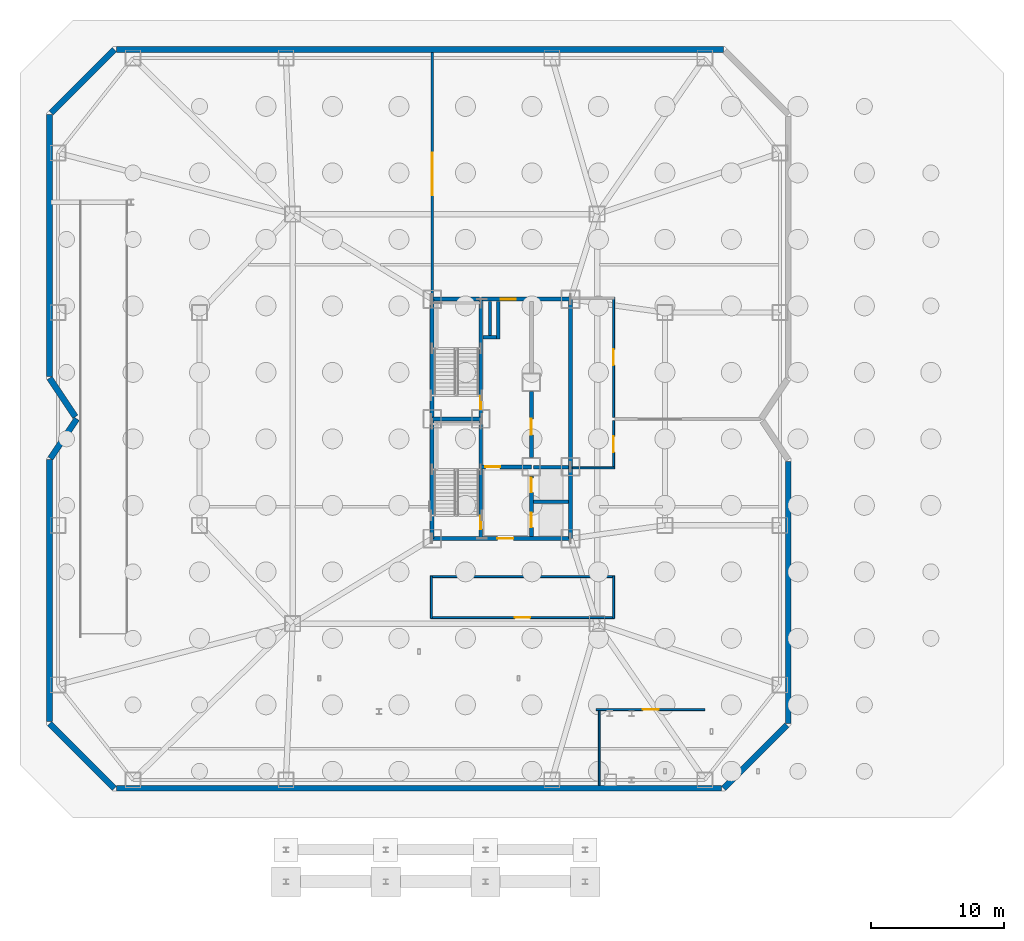
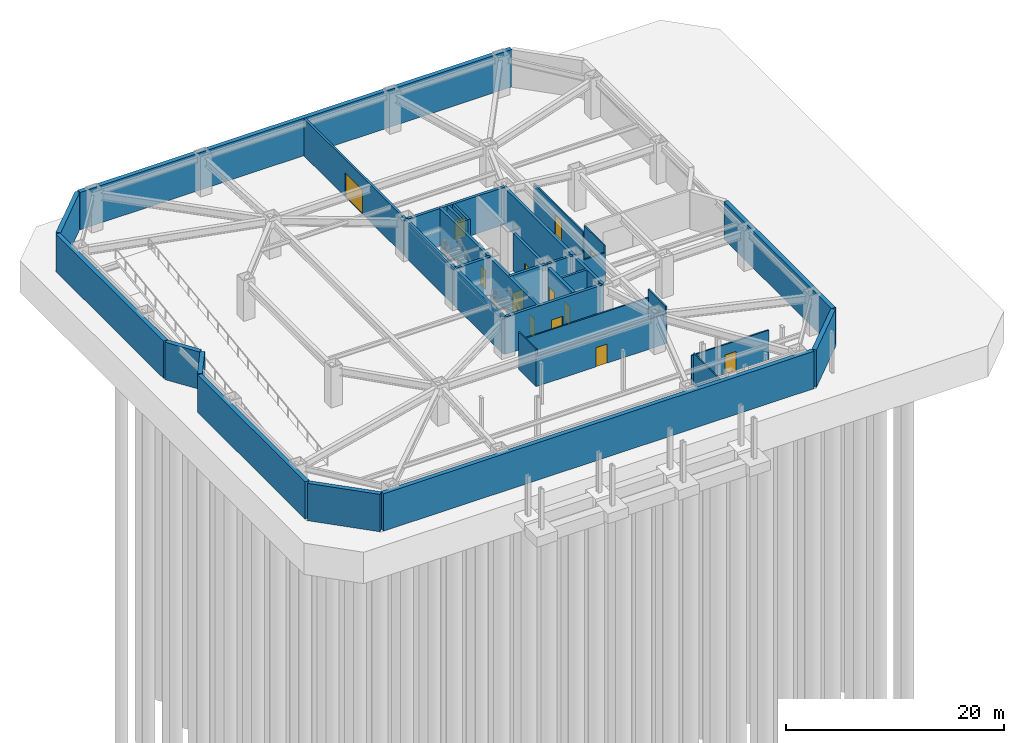
# One storey, part 10 of 15: 37 walls, 13 doors, 13 openings.
"""IFC4 building model written with IfcOpenShell, lengths in metres."""

from ifc_helpers import new_model, si_unit, direction, frame, frame_2d, origin, place, context, subcontext, project, spatial, rectangle, extrude, material, layer, layer_set, type_object, element, fill, save


model = new_model("IFC4")

# Units and contexts
model_context = context("Model", 3, precision=1e-05, world=origin(), true_north=direction((0.0, 1.0)))
body_context = subcontext(model_context, "Body", "Model", "MODEL_VIEW")
ifc_project = project(units=[si_unit("LENGTHUNIT", "METRE"), si_unit("AREAUNIT", "SQUARE_METRE"), si_unit("VOLUMEUNIT", "CUBIC_METRE"), si_unit("PLANEANGLEUNIT", "RADIAN"), si_unit("MASSUNIT", "GRAM", prefix="KILO")], contexts=[model_context])

# Site, building, storey
site_placement = place(None, origin())
site = spatial("IfcSite", under=ifc_project, at=site_placement, CompositionType="ELEMENT")
building_placement = place(site_placement, origin())
building = spatial("IfcBuilding", under=site, at=building_placement, Name="Khamvora Tower", CompositionType="ELEMENT")
storey_placement = place(building_placement, frame((0.0, 0.0, -9.0)))
storey = spatial("IfcBuildingStorey", under=building, at=storey_placement, Name="B2", CompositionType="ELEMENT", Elevation=-9.0)

# Walls
ifc_material_1 = material(Name="Concrete C50/60", Category="concrete")
ifc_layer_1 = layer(ifc_material_1, 0.300048828125)
ifc_layer_set_1 = layer_set([ifc_layer_1], Name="Concrete C50/60")
wall_type_1 = type_object("IfcWallType", Name="WAL-CORE-300", PredefinedType="SHEAR", material=ifc_layer_set_1)
for number, where, z_axis, x_axis, name in (
    (1, (29.0, 19.0, 0.0), (0.0, 0.0, 1.0), (0.0, 1.0, 0.0), "B2 central core west south wall"),
    (2, (29.0, 28.0, 0.0), (0.0, 0.0, 1.0), (0.0, 1.0, 0.0), "B2 central core west north wall"),
):
    element("IfcWall", number, at=place(storey_placement, frame(where, z_axis=z_axis, x_axis=x_axis)), inside=storey, type_object=wall_type_1, Name=name, PredefinedType="SHEAR", context=body_context, shape_type="SweptSolid", body=[
        extrude(rectangle(XDim=9.0, YDim=0.300048828125, at=frame_2d((4.5, 0.0))), origin(), (0.0, 0.0, 1.0), 4.179931640625),
    ])

# Wall, opening, door
wall_1_placement = place(storey_placement, frame((29.0, 19.0, 0.0), z_axis=(0.0, 0.0, 1.0), x_axis=(1.0, 0.0, 0.0)))
wall_1 = element("IfcWall", 3, at=wall_1_placement, inside=storey, type_object=wall_type_1, Name="B2 central core south wall", PredefinedType="SHEAR", context=body_context, shape_type="SweptSolid", body=[
    extrude(rectangle(XDim=10.39990234375, YDim=0.300048828125, at=frame_2d((5.199951171875, 0.0))), origin(), (0.0, 0.0, 1.0), 4.179931640625),
])
opening_1_placement = place(wall_1_placement, frame((4.89990234375, 0.0, 0.0)))
opening_1 = element("IfcOpeningElement", 4, at=opening_1_placement, cuts=wall_1, Name="Opening D-CR1", PredefinedType="OPENING", context=body_context, shape_type="SweptSolid", body=[
    extrude(rectangle(XDim=1.199951171875, YDim=2.14990234375, at=frame_2d((0.60009765625, 1.074951171875))), frame((0.0, 0.159912109375, 0.0), z_axis=(0.0, -1.0, 0.0), x_axis=(1.0, 0.0, 0.0)), (0.0, 0.0, 1.0), 0.320068359375),
])
ifc_material_2 = material(Name="Powder-Coated Steel and Hardwood Leaf", Category="steel")
door_type_1 = type_object("IfcDoorType", Name="DOR-CORR-1200", OperationType="NOTDEFINED", PredefinedType="DOOR", material=ifc_material_2)
door_1_placement = place(opening_1_placement, origin())
door_1 = element("IfcDoor", 5, at=door_1_placement, inside=storey, type_object=door_type_1, Name="B2 south core lobby to corridor fire door", OperationType="SINGLE_SWING_RIGHT", OverallHeight=2.14990234375, OverallWidth=1.199951171875, PredefinedType="DOOR", context=body_context, shape_type="SweptSolid", body=[
    extrude(rectangle(XDim=1.199951171875, YDim=2.14990234375, at=frame_2d((0.60009765625, 1.074951171875))), frame((0.0, 0.02490234375, 0.0), z_axis=(0.0, -1.0, 0.0), x_axis=(1.0, 0.0, 0.0)), (0.0, 0.0, 1.0), 0.050048828125),
])
fill(opening_1, door_1)

wall_2_placement = place(storey_placement, frame((29.0, 37.0, 0.0), z_axis=(0.0, 0.0, 1.0), x_axis=(1.0, 0.0, 0.0)))
wall_2 = element("IfcWall", 6, at=wall_2_placement, inside=storey, type_object=wall_type_1, Name="B2 central core north wall", PredefinedType="SHEAR", context=body_context, shape_type="SweptSolid", body=[
    extrude(rectangle(XDim=10.39990234375, YDim=0.300048828125, at=frame_2d((5.199951171875, 0.0))), origin(), (0.0, 0.0, 1.0), 4.179931640625),
])
opening_2_placement = place(wall_2_placement, frame((5.139892578125, 0.0, 0.0)))
opening_2 = element("IfcOpeningElement", 7, at=opening_2_placement, cuts=wall_2, Name="Opening D-SC1", PredefinedType="OPENING", context=body_context, shape_type="SweptSolid", body=[
    extrude(rectangle(XDim=1.14990234375, YDim=2.199951171875, at=frame_2d((0.574951171875, 1.10009765625))), frame((0.0, 0.159912109375, 0.0), z_axis=(0.0, -1.0, 0.0), x_axis=(1.0, 0.0, 0.0)), (0.0, 0.0, 1.0), 0.320068359375),
])
door_type_2 = type_object("IfcDoorType", Name="DOR-SCHL-1150", OperationType="NOTDEFINED", PredefinedType="DOOR", material=ifc_material_2)
door_2_placement = place(opening_2_placement, origin())
door_2 = element("IfcDoor", 8, at=door_2_placement, inside=storey, type_object=door_type_2, Name="B2 north core lobby to corridor fire door", OperationType="SINGLE_SWING_LEFT", OverallHeight=2.199951171875, OverallWidth=1.14990234375, PredefinedType="DOOR", context=body_context, shape_type="SweptSolid", body=[
    extrude(rectangle(XDim=1.14990234375, YDim=2.199951171875, at=frame_2d((0.574951171875, 1.10009765625))), frame((0.0, 0.02490234375, 0.0), z_axis=(0.0, -1.0, 0.0), x_axis=(1.0, 0.0, 0.0)), (0.0, 0.0, 1.0), 0.050048828125),
])
fill(opening_2, door_2)

# Walls
wall_3_placement = place(storey_placement, frame((39.39990234375, 19.0, 0.0), z_axis=(0.0, 0.0, 1.0), x_axis=(0.0, 1.0, 0.0)))
element("IfcWall", 9, at=wall_3_placement, inside=storey, type_object=wall_type_1, Name="B2 central core east south wall", PredefinedType="SHEAR", context=body_context, shape_type="SweptSolid", body=[
    extrude(rectangle(XDim=5.39990234375, YDim=0.300048828125, at=frame_2d((2.699951171875, 0.0))), origin(), (0.0, 0.0, 1.0), 4.179931640625),
])
wall_4_placement = place(storey_placement, frame((39.39990234375, 24.39990234375, 0.0), z_axis=(0.0, 0.0, 1.0), x_axis=(0.0, 1.0, 0.0)))
element("IfcWall", 10, at=wall_4_placement, inside=storey, type_object=wall_type_1, Name="B2 central core east north wall", PredefinedType="SHEAR", context=body_context, shape_type="SweptSolid", body=[
    extrude(rectangle(XDim=12.60009765625, YDim=0.300048828125, at=frame_2d((6.300048828125, 0.0))), origin(), (0.0, 0.0, 1.0), 4.179931640625),
])

# Wall, opening, door
wall_5_placement = place(storey_placement, frame((32.64990234375, 19.0, 0.0), z_axis=(0.0, 0.0, 1.0), x_axis=(0.0, 1.0, 0.0)))
wall_5 = element("IfcWall", 11, at=wall_5_placement, inside=storey, type_object=wall_type_1, Name="B2 central core stair south spine wall", PredefinedType="SHEAR", context=body_context, shape_type="SweptSolid", body=[
    extrude(rectangle(XDim=9.0, YDim=0.300048828125, at=frame_2d((4.5, 0.0))), origin(), (0.0, 0.0, 1.0), 4.179931640625),
])
opening_3_placement = place(wall_5_placement, frame((0.719970703125, 0.0, 0.0)))
opening_3 = element("IfcOpeningElement", 12, at=opening_3_placement, cuts=wall_5, Name="Opening D-ST1", PredefinedType="OPENING", context=body_context, shape_type="SweptSolid", body=[
    extrude(rectangle(XDim=1.0, YDim=2.14990234375, at=frame_2d((0.5, 1.074951171875))), frame((0.0, 0.159912109375, 0.0), z_axis=(0.0, -1.0, 0.0), x_axis=(1.0, 0.0, 0.0)), (0.0, 0.0, 1.0), 0.320068359375),
])
door_type_3 = type_object("IfcDoorType", Name="DOR-STAIR-1000", OperationType="NOTDEFINED", PredefinedType="DOOR", material=ifc_material_2)
door_3_placement = place(opening_3_placement, origin())
door_3 = element("IfcDoor", 13, at=door_3_placement, inside=storey, type_object=door_type_3, Name="B2 exit stair ST-01 fire door", OperationType="SINGLE_SWING_RIGHT", OverallHeight=2.14990234375, OverallWidth=1.0, PredefinedType="DOOR", context=body_context, shape_type="SweptSolid", body=[
    extrude(rectangle(XDim=1.0, YDim=2.14990234375, at=frame_2d((0.5, 1.074951171875))), frame((0.0, 0.02490234375, 0.0), z_axis=(0.0, -1.0, 0.0), x_axis=(1.0, 0.0, 0.0)), (0.0, 0.0, 1.0), 0.050048828125),
])
fill(opening_3, door_3)

wall_6_placement = place(storey_placement, frame((32.64990234375, 28.0, 0.0), z_axis=(0.0, 0.0, 1.0), x_axis=(0.0, 1.0, 0.0)))
wall_6 = element("IfcWall", 14, at=wall_6_placement, inside=storey, type_object=wall_type_1, Name="B2 central core stair north spine wall", PredefinedType="SHEAR", context=body_context, shape_type="SweptSolid", body=[
    extrude(rectangle(XDim=9.0, YDim=0.300048828125, at=frame_2d((4.5, 0.0))), origin(), (0.0, 0.0, 1.0), 4.179931640625),
])
opening_4_placement = place(wall_6_placement, frame((0.719970703125, 0.0, 0.0)))
opening_4 = element("IfcOpeningElement", 15, at=opening_4_placement, cuts=wall_6, Name="Opening D-ST1", PredefinedType="OPENING", context=body_context, shape_type="SweptSolid", body=[
    extrude(rectangle(XDim=1.0, YDim=2.14990234375, at=frame_2d((0.5, 1.074951171875))), frame((0.0, 0.159912109375, 0.0), z_axis=(0.0, -1.0, 0.0), x_axis=(1.0, 0.0, 0.0)), (0.0, 0.0, 1.0), 0.320068359375),
])
door_4_placement = place(opening_4_placement, origin())
door_4 = element("IfcDoor", 16, at=door_4_placement, inside=storey, type_object=door_type_3, Name="B2 exit stair ST-02 fire door", OperationType="SINGLE_SWING_RIGHT", OverallHeight=2.14990234375, OverallWidth=1.0, PredefinedType="DOOR", context=body_context, shape_type="SweptSolid", body=[
    extrude(rectangle(XDim=1.0, YDim=2.14990234375, at=frame_2d((0.5, 1.074951171875))), frame((0.0, 0.02490234375, 0.0), z_axis=(0.0, -1.0, 0.0), x_axis=(1.0, 0.0, 0.0)), (0.0, 0.0, 1.0), 0.050048828125),
])
fill(opening_4, door_4)

# Wall
wall_7_placement = place(storey_placement, frame((29.0, 28.0, 0.0), z_axis=(0.0, 0.0, 1.0), x_axis=(1.0, 0.0, 0.0)))
element("IfcWall", 17, at=wall_7_placement, inside=storey, type_object=wall_type_1, Name="B2 central core stair cross wall", PredefinedType="SHEAR", context=body_context, shape_type="SweptSolid", body=[
    extrude(rectangle(XDim=3.64990234375, YDim=0.300048828125, at=frame_2d((1.824951171875, 0.0))), origin(), (0.0, 0.0, 1.0), 4.179931640625),
])

# Wall, opening, door
wall_8_placement = place(storey_placement, frame((32.64990234375, 24.39990234375, 0.0), z_axis=(0.0, 0.0, 1.0), x_axis=(1.0, 0.0, 0.0)))
wall_8 = element("IfcWall", 18, at=wall_8_placement, inside=storey, type_object=wall_type_1, Name="B2 central core firefighting lobby north wall", PredefinedType="SHEAR", context=body_context, shape_type="SweptSolid", body=[
    extrude(rectangle(XDim=3.800048828125, YDim=0.300048828125, at=frame_2d((1.89990234375, 0.0))), origin(), (0.0, 0.0, 1.0), 4.179931640625),
])
opening_5_placement = place(wall_8_placement, frame((0.35009765625, 0.0, 0.0)))
opening_5 = element("IfcOpeningElement", 19, at=opening_5_placement, cuts=wall_8, Name="Opening D-FF1", PredefinedType="OPENING", context=body_context, shape_type="SweptSolid", body=[
    extrude(rectangle(XDim=1.10009765625, YDim=2.14990234375, at=frame_2d((0.550048828125, 1.074951171875))), frame((0.0, 0.159912109375, 0.0), z_axis=(0.0, -1.0, 0.0), x_axis=(1.0, 0.0, 0.0)), (0.0, 0.0, 1.0), 0.320068359375),
])
door_type_4 = type_object("IfcDoorType", Name="DOR-FFLOB-1100", OperationType="NOTDEFINED", PredefinedType="DOOR", material=ifc_material_2)
door_5_placement = place(opening_5_placement, origin())
door_5 = element("IfcDoor", 20, at=door_5_placement, inside=storey, type_object=door_type_4, Name="B2 firefighting lobby smoke-seal fire door", OperationType="SINGLE_SWING_LEFT", OverallHeight=2.14990234375, OverallWidth=1.10009765625, PredefinedType="DOOR", context=body_context, shape_type="SweptSolid", body=[
    extrude(rectangle(XDim=1.10009765625, YDim=2.14990234375, at=frame_2d((0.550048828125, 1.074951171875))), frame((0.0, 0.02490234375, 0.0), z_axis=(0.0, -1.0, 0.0), x_axis=(1.0, 0.0, 0.0)), (0.0, 0.0, 1.0), 0.050048828125),
])
fill(opening_5, door_5)

# Wall, openings, doors
wall_9_placement = place(storey_placement, frame((36.449951171875, 19.154052734375, 0.0), z_axis=(0.0, 0.0, 1.0), x_axis=(0.0, 1.0, 0.0)))
wall_9 = element("IfcWall", 21, at=wall_9_placement, inside=storey, type_object=wall_type_1, Name="B2 central core lift bank south wall", PredefinedType="SHEAR", context=body_context, shape_type="SweptSolid", body=[
    extrude(rectangle(XDim=4.5458984375, YDim=0.300048828125, at=frame_2d((2.27294921875, 0.0))), origin(), (0.0, 0.0, 1.0), 4.179931640625),
])
opening_6_placement = place(wall_9_placement, frame((0.696044921875, 0.0, 0.0)))
opening_6 = element("IfcOpeningElement", 22, at=opening_6_placement, cuts=wall_9, Name="Opening LD-FFL", PredefinedType="OPENING", context=body_context, shape_type="SweptSolid", body=[
    extrude(rectangle(XDim=1.10009765625, YDim=2.14990234375, at=frame_2d((0.550048828125, 1.074951171875))), frame((0.0, 0.159912109375, 0.0), z_axis=(0.0, -1.0, 0.0), x_axis=(1.0, 0.0, 0.0)), (0.0, 0.0, 1.0), 0.320068359375),
])
opening_7_placement = place(wall_9_placement, frame((3.31591796875, 0.0, 0.0)))
opening_7 = element("IfcOpeningElement", 23, at=opening_7_placement, cuts=wall_9, Name="Opening LD-FFL", PredefinedType="OPENING", context=body_context, shape_type="SweptSolid", body=[
    extrude(rectangle(XDim=1.10009765625, YDim=2.14990234375, at=frame_2d((0.550048828125, 1.074951171875))), frame((0.0, 0.159912109375, 0.0), z_axis=(0.0, -1.0, 0.0), x_axis=(1.0, 0.0, 0.0)), (0.0, 0.0, 1.0), 0.320068359375),
])
door_type_5 = type_object("IfcDoorType", Name="DOR-LIFT-1100", OperationType="SLIDING_TO_LEFT", PredefinedType="DOOR", material=ifc_material_2)
door_6_placement = place(opening_6_placement, origin())
door_6 = element("IfcDoor", 24, at=door_6_placement, inside=storey, type_object=door_type_5, Name="B2 lift landing sliding door FFL-01", OperationType="SLIDING_TO_LEFT", OverallHeight=2.14990234375, OverallWidth=1.10009765625, PredefinedType="DOOR", context=body_context, shape_type="SweptSolid", body=[
    extrude(rectangle(XDim=1.10009765625, YDim=2.14990234375, at=frame_2d((0.550048828125, 1.074951171875))), frame((0.0, 0.02490234375, 0.0), z_axis=(0.0, -1.0, 0.0), x_axis=(1.0, 0.0, 0.0)), (0.0, 0.0, 1.0), 0.050048828125),
])
fill(opening_6, door_6)
door_7_placement = place(opening_7_placement, origin())
door_7 = element("IfcDoor", 25, at=door_7_placement, inside=storey, type_object=door_type_5, Name="B2 lift landing sliding door FFL-02", OperationType="SLIDING_TO_LEFT", OverallHeight=2.14990234375, OverallWidth=1.10009765625, PredefinedType="DOOR", context=body_context, shape_type="SweptSolid", body=[
    extrude(rectangle(XDim=1.10009765625, YDim=2.14990234375, at=frame_2d((0.550048828125, 1.074951171875))), frame((0.0, 0.02490234375, 0.0), z_axis=(0.0, -1.0, 0.0), x_axis=(1.0, 0.0, 0.0)), (0.0, 0.0, 1.0), 0.050048828125),
])
fill(opening_7, door_7)

# Wall, opening, door
wall_10_placement = place(storey_placement, frame((36.449951171875, 25.10009765625, 0.0), z_axis=(0.0, 0.0, 1.0), x_axis=(0.0, 1.0, 0.0)))
wall_10 = element("IfcWall", 26, at=wall_10_placement, inside=storey, type_object=wall_type_1, Name="B2 central core lift bank central wall", PredefinedType="SHEAR", context=body_context, shape_type="SweptSolid", body=[
    extrude(rectangle(XDim=4.949951171875, YDim=0.300048828125, at=frame_2d((2.47509765625, 0.0))), origin(), (0.0, 0.0, 1.0), 4.179931640625),
])
opening_8_placement = place(wall_10_placement, frame((1.699951171875, 0.0, 0.0)))
opening_8 = element("IfcOpeningElement", 27, at=opening_8_placement, cuts=wall_10, Name="Opening D-PL1", PredefinedType="OPENING", context=body_context, shape_type="SweptSolid", body=[
    extrude(rectangle(XDim=1.199951171875, YDim=2.14990234375, at=frame_2d((0.60009765625, 1.074951171875))), frame((0.0, 0.159912109375, 0.0), z_axis=(0.0, -1.0, 0.0), x_axis=(1.0, 0.0, 0.0)), (0.0, 0.0, 1.0), 0.320068359375),
])
door_type_6 = type_object("IfcDoorType", Name="DOR-PLNT-1200", OperationType="NOTDEFINED", PredefinedType="DOOR", material=ifc_material_2)
door_8_placement = place(opening_8_placement, origin())
door_8 = element("IfcDoor", 28, at=door_8_placement, inside=storey, type_object=door_type_6, Name="B2 basement riser room fire door", OperationType="SINGLE_SWING_LEFT", OverallHeight=2.14990234375, OverallWidth=1.199951171875, PredefinedType="DOOR", context=body_context, shape_type="SweptSolid", body=[
    extrude(rectangle(XDim=1.199951171875, YDim=2.14990234375, at=frame_2d((0.60009765625, 1.074951171875))), frame((0.0, 0.02490234375, 0.0), z_axis=(0.0, -1.0, 0.0), x_axis=(1.0, 0.0, 0.0)), (0.0, 0.0, 1.0), 0.050048828125),
])
fill(opening_8, door_8)

ifc_material_3 = material(Name="Fire-Rated Drywall and Steel Stud", Category="steel")
ifc_layer_2 = layer(ifc_material_3, 0.14990234375)
ifc_layer_set_2 = layer_set([ifc_layer_2], Name="Fire-Rated Drywall and Steel Stud")
wall_type_2 = type_object("IfcWallType", Name="WAL-CORR-150", PredefinedType="STANDARD", material=ifc_layer_set_2)
wall_11_placement = place(storey_placement, frame((49.5, 6.135009765625, 0.0), z_axis=(0.0, 0.0, 1.0), x_axis=(-1.0, 0.0, 0.0)))
wall_11 = element("IfcWall", 29, at=wall_11_placement, inside=storey, type_object=wall_type_2, Name="B2 interior partition wall 001", PredefinedType="STANDARD", context=body_context, shape_type="SweptSolid", body=[
    extrude(rectangle(XDim=8.177978515625, YDim=0.14990234375, at=frame_2d((4.0888671875, 0.0))), origin(), (0.0, 0.0, 1.0), 3.31494140625),
])
opening_9_placement = place(wall_11_placement, frame((3.467041015625, 0.0, 0.0)))
opening_9 = element("IfcOpeningElement", 30, at=opening_9_placement, cuts=wall_11, Name="Opening D-PL1", PredefinedType="OPENING", context=body_context, shape_type="SweptSolid", body=[
    extrude(rectangle(XDim=1.199951171875, YDim=2.14990234375, at=frame_2d((0.60009765625, 1.074951171875))), frame((0.0, 0.0849609375, 0.0), z_axis=(0.0, -1.0, 0.0), x_axis=(1.0, 0.0, 0.0)), (0.0, 0.0, 1.0), 0.169921875),
])
door_9_placement = place(opening_9_placement, origin())
door_9 = element("IfcDoor", 31, at=door_9_placement, inside=storey, type_object=door_type_6, Name="B2 interior door DRV-SMP", OperationType="SINGLE_SWING_RIGHT", OverallHeight=2.14990234375, OverallWidth=1.199951171875, PredefinedType="DOOR", context=body_context, shape_type="SweptSolid", body=[
    extrude(rectangle(XDim=1.199951171875, YDim=2.14990234375, at=frame_2d((0.60009765625, 1.074951171875))), frame((0.0, 0.02490234375, 0.0), z_axis=(0.0, -1.0, 0.0), x_axis=(1.0, 0.0, 0.0)), (0.0, 0.0, 1.0), 0.050048828125),
])
fill(opening_9, door_9)

# Wall
wall_12_placement = place(storey_placement, frame((39.5419921875, 24.31494140625, 0.0), z_axis=(0.0, 0.0, 1.0), x_axis=(1.0, 0.0, 0.0)))
element("IfcWall", 32, at=wall_12_placement, inside=storey, type_object=wall_type_2, Name="B2 interior partition wall 002", PredefinedType="STANDARD", context=body_context, shape_type="SweptSolid", body=[
    extrude(rectangle(XDim=3.157958984375, YDim=0.14990234375, at=frame_2d((1.5791015625, 0.0))), origin(), (0.0, 0.0, 1.0), 3.31494140625),
])

# Wall, opening, door
wall_13_placement = place(storey_placement, frame((42.635009765625, 24.25, 0.0), z_axis=(0.0, 0.0, 1.0), x_axis=(0.0, 1.0, 0.0)))
wall_13 = element("IfcWall", 33, at=wall_13_placement, inside=storey, type_object=wall_type_2, Name="B2 interior partition wall 003", PredefinedType="STANDARD", context=body_context, shape_type="SweptSolid", body=[
    extrude(rectangle(XDim=3.6298828125, YDim=0.14990234375, at=frame_2d((1.81494140625, 0.0))), origin(), (0.0, 0.0, 1.0), 4.179931640625),
])
opening_10_placement = place(wall_13_placement, frame((1.22802734375, 0.0, 0.0)))
opening_10 = element("IfcOpeningElement", 34, at=opening_10_placement, cuts=wall_13, Name="Opening D-PL1", PredefinedType="OPENING", context=body_context, shape_type="SweptSolid", body=[
    extrude(rectangle(XDim=1.199951171875, YDim=2.14990234375, at=frame_2d((0.60009765625, 1.074951171875))), frame((0.0, 0.0849609375, 0.0), z_axis=(0.0, -1.0, 0.0), x_axis=(1.0, 0.0, 0.0)), (0.0, 0.0, 1.0), 0.169921875),
])
door_10_placement = place(opening_10_placement, origin())
door_10 = element("IfcDoor", 35, at=door_10_placement, inside=storey, type_object=door_type_6, Name="B2 interior door DRV-WTK", OperationType="SINGLE_SWING_LEFT", OverallHeight=2.14990234375, OverallWidth=1.199951171875, PredefinedType="DOOR", context=body_context, shape_type="SweptSolid", body=[
    extrude(rectangle(XDim=1.199951171875, YDim=2.14990234375, at=frame_2d((0.60009765625, 1.074951171875))), frame((0.0, 0.02490234375, 0.0), z_axis=(0.0, -1.0, 0.0), x_axis=(1.0, 0.0, 0.0)), (0.0, 0.0, 1.0), 0.050048828125),
])
fill(opening_10, door_10)

# Wall
wall_14_placement = place(storey_placement, frame((28.945068359375, 16.199951171875, 0.0), z_axis=(0.0, 0.0, 1.0), x_axis=(0.0, -1.0, 0.0)))
element("IfcWall", 36, at=wall_14_placement, inside=storey, type_object=wall_type_2, Name="B2 interior partition wall 004", PredefinedType="STANDARD", context=body_context, shape_type="SweptSolid", body=[
    extrude(rectangle(XDim=3.199951171875, YDim=0.14990234375, at=frame_2d((1.60009765625, 0.0))), origin(), (0.0, 0.0, 1.0), 4.179931640625),
])

# Wall, opening, door
wall_15_placement = place(storey_placement, frame((28.8798828125, 13.06494140625, 0.0), z_axis=(0.0, 0.0, 1.0), x_axis=(1.0, 0.0, 0.0)))
wall_15 = element("IfcWall", 37, at=wall_15_placement, inside=storey, type_object=wall_type_2, Name="B2 interior partition wall 005", PredefinedType="STANDARD", context=body_context, shape_type="SweptSolid", body=[
    extrude(rectangle(XDim=13.820068359375, YDim=0.14990234375, at=frame_2d((6.91015625, 0.0))), origin(), (0.0, 0.0, 1.0), 3.31494140625),
])
opening_11_placement = place(wall_15_placement, frame((6.31005859375, 0.0, 0.0)))
opening_11 = element("IfcOpeningElement", 38, at=opening_11_placement, cuts=wall_15, Name="Opening D-PL1", PredefinedType="OPENING", context=body_context, shape_type="SweptSolid", body=[
    extrude(rectangle(XDim=1.199951171875, YDim=2.14990234375, at=frame_2d((0.60009765625, 1.074951171875))), frame((0.0, 0.0849609375, 0.0), z_axis=(0.0, -1.0, 0.0), x_axis=(1.0, 0.0, 0.0)), (0.0, 0.0, 1.0), 0.169921875),
])
door_11_placement = place(opening_11_placement, origin())
door_11 = element("IfcDoor", 39, at=door_11_placement, inside=storey, type_object=door_type_6, Name="B2 interior door DRV-PMP", OperationType="SINGLE_SWING_RIGHT", OverallHeight=2.14990234375, OverallWidth=1.199951171875, PredefinedType="DOOR", context=body_context, shape_type="SweptSolid", body=[
    extrude(rectangle(XDim=1.199951171875, YDim=2.14990234375, at=frame_2d((0.60009765625, 1.074951171875))), frame((0.0, 0.02490234375, 0.0), z_axis=(0.0, -1.0, 0.0), x_axis=(1.0, 0.0, 0.0)), (0.0, 0.0, 1.0), 0.050048828125),
])
fill(opening_11, door_11)

# Walls
wall_16_placement = place(storey_placement, frame((42.635009765625, 13.001953125, 0.0), z_axis=(0.0, 0.0, 1.0), x_axis=(0.0, 1.0, 0.0)))
element("IfcWall", 40, at=wall_16_placement, inside=storey, type_object=wall_type_2, Name="B2 interior partition wall 006", PredefinedType="STANDARD", context=body_context, shape_type="SweptSolid", body=[
    extrude(rectangle(XDim=3.197998046875, YDim=0.14990234375, at=frame_2d((1.59912109375, 0.0))), origin(), (0.0, 0.0, 1.0), 4.179931640625),
])
wall_17_placement = place(storey_placement, frame((42.699951171875, 16.135009765625, 0.0), z_axis=(0.0, 0.0, 1.0), x_axis=(-1.0, 0.0, 0.0)))
element("IfcWall", 41, at=wall_17_placement, inside=storey, type_object=wall_type_2, Name="B2 interior partition wall 007", PredefinedType="STANDARD", context=body_context, shape_type="SweptSolid", body=[
    extrude(rectangle(XDim=13.820068359375, YDim=0.14990234375, at=frame_2d((6.91015625, 0.0))), origin(), (0.0, 0.0, 1.0), 3.31494140625),
])

# Wall, opening, door
wall_18_placement = place(storey_placement, frame((42.635009765625, 28.1201171875, 0.0), z_axis=(0.0, 0.0, 1.0), x_axis=(0.0, 1.0, 0.0)))
wall_18 = element("IfcWall", 42, at=wall_18_placement, inside=storey, type_object=wall_type_2, Name="B2 interior partition wall 008", PredefinedType="STANDARD", context=body_context, shape_type="SweptSolid", body=[
    extrude(rectangle(XDim=9.02978515625, YDim=0.14990234375, at=frame_2d((4.514892578125, 0.0))), origin(), (0.0, 0.0, 1.0), 3.31494140625),
])
opening_12_placement = place(wall_18_placement, frame((3.9150390625, 0.0, 0.0)))
opening_12 = element("IfcOpeningElement", 43, at=opening_12_placement, cuts=wall_18, Name="Opening D-PL1", PredefinedType="OPENING", context=body_context, shape_type="SweptSolid", body=[
    extrude(rectangle(XDim=1.199951171875, YDim=2.14990234375, at=frame_2d((0.60009765625, 1.074951171875))), frame((0.0, 0.0849609375, 0.0), z_axis=(0.0, -1.0, 0.0), x_axis=(1.0, 0.0, 0.0)), (0.0, 0.0, 1.0), 0.169921875),
])
door_12_placement = place(opening_12_placement, origin())
door_12 = element("IfcDoor", 44, at=door_12_placement, inside=storey, type_object=door_type_6, Name="B2 interior door DRVN-WTK", OperationType="SINGLE_SWING_LEFT", OverallHeight=2.14990234375, OverallWidth=1.199951171875, PredefinedType="DOOR", context=body_context, shape_type="SweptSolid", body=[
    extrude(rectangle(XDim=1.199951171875, YDim=2.14990234375, at=frame_2d((0.60009765625, 1.074951171875))), frame((0.0, 0.02490234375, 0.0), z_axis=(0.0, -1.0, 0.0), x_axis=(1.0, 0.0, 0.0)), (0.0, 0.0, 1.0), 0.050048828125),
])
fill(opening_12, door_12)

# Walls
ifc_material_4 = material(Name="Gypsum Plasterboard Partition", Category="gypsum")
ifc_layer_3 = layer(ifc_material_4, 0.1201171875)
ifc_layer_set_3 = layer_set([ifc_layer_3], Name="Gypsum Plasterboard Partition")
wall_type_3 = type_object("IfcWallType", Name="WAL-PART-120", PredefinedType="PARTITIONING", material=ifc_layer_set_3)
wall_19_placement = place(storey_placement, frame((41.56494140625, 6.068115234375, 0.0), z_axis=(0.0, 0.0, 1.0), x_axis=(0.0, -1.0, 0.0)))
element("IfcWall", 45, at=wall_19_placement, inside=storey, type_object=wall_type_3, Name="B2 interior partition wall 010", PredefinedType="PARTITIONING", context=body_context, shape_type="SweptSolid", body=[
    extrude(rectangle(XDim=5.626220703125, YDim=0.1201171875, at=frame_2d((2.81298828125, 0.0))), origin(), (0.0, 0.0, 1.0), 3.552978515625),
])
ifc_material_5 = material(Name="Concrete C40/50", Category="concrete")
ifc_layer_4 = layer(ifc_material_5, 0.25)
ifc_layer_set_4 = layer_set([ifc_layer_4], Name="Concrete C40/50")
wall_type_4 = type_object("IfcWallType", Name="WAL-PODS-250", PredefinedType="SHEAR", material=ifc_layer_set_4)
for number, where, z_axis, x_axis, name in (
    (46, (36.60400390625, 21.77490234375, 0.0), (0.0, 0.0, 1.0), (1.0, 0.0, 0.0), "B2 lift shaft divider wall FFL-01"),
    (47, (36.60400390625, 24.375, 0.0), (0.0, 0.0, 1.0), (1.0, 0.0, 0.0), "B2 lift shaft divider wall FFL-02"),
):
    element("IfcWall", number, at=place(storey_placement, frame(where, z_axis=z_axis, x_axis=x_axis)), inside=storey, type_object=wall_type_4, Name=name, PredefinedType="SHEAR", context=body_context, shape_type="SweptSolid", body=[
        extrude(rectangle(XDim=2.64208984375, YDim=0.25, at=frame_2d((1.321044921875, 0.0))), origin(), (0.0, 0.0, 1.0), 4.179931640625),
    ])
wall_20_placement = place(storey_placement, frame((33.955078125, 34.02490234375, 0.0), z_axis=(0.0, 0.0, 1.0), x_axis=(0.0, 1.0, 0.0)))
element("IfcWall", 48, at=wall_20_placement, inside=storey, type_object=wall_type_4, Name="B2 vertical MEP riser shaft east enclosure wall", PredefinedType="SHEAR", context=body_context, shape_type="SweptSolid", body=[
    extrude(rectangle(XDim=2.821044921875, YDim=0.25, at=frame_2d((1.41064453125, 0.0))), origin(), (0.0, 0.0, 1.0), 4.179931640625),
])
wall_21_placement = place(storey_placement, frame((32.803955078125, 34.14990234375, 0.0), z_axis=(0.0, 0.0, 1.0), x_axis=(1.0, 0.0, 0.0)))
element("IfcWall", 49, at=wall_21_placement, inside=storey, type_object=wall_type_4, Name="B2 vertical MEP riser shaft south enclosure wall", PredefinedType="SHEAR", context=body_context, shape_type="SweptSolid", body=[
    extrude(rectangle(XDim=1.02197265625, YDim=0.25, at=frame_2d((0.510986328125, 0.0))), origin(), (0.0, 0.0, 1.0), 4.179931640625),
])
wall_22_placement = place(storey_placement, frame((33.340087890625, 34.279052734375, 0.0), z_axis=(0.0, 0.0, 1.0), x_axis=(0.0, 1.0, 0.0)))
element("IfcWall", 50, at=wall_22_placement, inside=storey, type_object=wall_type_4, Name="B2 vertical MEP riser shaft divider enclosure wall", PredefinedType="SHEAR", context=body_context, shape_type="SweptSolid", body=[
    extrude(rectangle(XDim=2.56689453125, YDim=0.25, at=frame_2d((1.283447265625, 0.0))), origin(), (0.0, 0.0, 1.0), 4.179931640625),
])
ifc_layer_5 = layer(ifc_material_5, 0.449951171875)
ifc_layer_set_5 = layer_set([ifc_layer_5], Name="Concrete C40/50")
wall_type_5 = type_object("IfcWallType", Name="WAL-RET-450", PredefinedType="USERDEFINED", material=ifc_layer_set_5)
wall_23_placement = place(storey_placement, frame((5.093017578125, 0.22509765625, 0.0), z_axis=(0.0, 0.0, 1.0), x_axis=(-0.707106781187, 0.707106781187, 0.0)))
element("IfcWall", 51, at=wall_23_placement, inside=storey, type_object=wall_type_5, Name="B2 perimeter retaining wall 01.1", ObjectType="RETAININGWALL", PredefinedType="USERDEFINED", context=body_context, shape_type="SweptSolid", body=[
    extrude(rectangle(XDim=6.88427734375, YDim=0.449951171875, at=frame_2d((3.442138671875, 0.0))), origin(), (0.0, 0.0, 1.0), 4.179931640625),
])
wall_24_placement = place(storey_placement, frame((0.22509765625, 5.2451171875, 0.0), z_axis=(0.0, 0.0, 1.0), x_axis=(0.0, 1.0, 0.0)))
element("IfcWall", 52, at=wall_24_placement, inside=storey, type_object=wall_type_5, Name="B2 perimeter retaining wall 02.1", ObjectType="RETAININGWALL", PredefinedType="USERDEFINED", context=body_context, shape_type="SweptSolid", body=[
    extrude(rectangle(XDim=19.686767578125, YDim=0.449951171875, at=frame_2d((9.84326171875, 0.0))), origin(), (0.0, 0.0, 1.0), 4.179931640625),
])
wall_25_placement = place(storey_placement, frame((0.2890625, 25.028076171875, 0.0), z_axis=(0.0, 0.0, 1.0), x_axis=(0.554637097181, 0.832092356912, 0.0)))
element("IfcWall", 53, at=wall_25_placement, inside=storey, type_object=wall_type_5, Name="B2 perimeter retaining wall 03.1", ObjectType="RETAININGWALL", PredefinedType="USERDEFINED", context=body_context, shape_type="SweptSolid", body=[
    extrude(rectangle(XDim=3.571533203125, YDim=0.449951171875, at=frame_2d((1.78564453125, 0.0))), origin(), (0.0, 0.0, 1.0), 4.179931640625),
])
wall_26_placement = place(storey_placement, frame((2.159912109375, 28.1640625, 0.0), z_axis=(0.0, 0.0, 1.0), x_axis=(-0.554457992581, 0.832211712524, 0.0)))
element("IfcWall", 54, at=wall_26_placement, inside=storey, type_object=wall_type_5, Name="B2 perimeter retaining wall 04.1", ObjectType="RETAININGWALL", PredefinedType="USERDEFINED", context=body_context, shape_type="SweptSolid", body=[
    extrude(rectangle(XDim=3.489501953125, YDim=0.449951171875, at=frame_2d((1.74462890625, 0.0))), origin(), (0.0, 0.0, 1.0), 4.179931640625),
])
wall_27_placement = place(storey_placement, frame((0.22509765625, 31.18408203125, 0.0), z_axis=(0.0, 0.0, 1.0), x_axis=(0.0, 1.0, 0.0)))
element("IfcWall", 55, at=wall_27_placement, inside=storey, type_object=wall_type_5, Name="B2 perimeter retaining wall 05.1", ObjectType="RETAININGWALL", PredefinedType="USERDEFINED", context=body_context, shape_type="SweptSolid", body=[
    extrude(rectangle(XDim=19.722900390625, YDim=0.449951171875, at=frame_2d((9.861328125, 0.0))), origin(), (0.0, 0.0, 1.0), 4.179931640625),
])
wall_28_placement = place(storey_placement, frame((0.330078125, 51.011962890625, 0.0), z_axis=(0.0, 0.0, 1.0), x_axis=(0.707106781187, 0.707106781187, 0.0)))
element("IfcWall", 56, at=wall_28_placement, inside=storey, type_object=wall_type_5, Name="B2 perimeter retaining wall 06.1", ObjectType="RETAININGWALL", PredefinedType="USERDEFINED", context=body_context, shape_type="SweptSolid", body=[
    extrude(rectangle(XDim=6.73583984375, YDim=0.449951171875, at=frame_2d((3.367919921875, 0.0))), origin(), (0.0, 0.0, 1.0), 4.179931640625),
])
wall_29_placement = place(storey_placement, frame((5.242919921875, 55.77490234375, 0.0), z_axis=(0.0, 0.0, 1.0), x_axis=(1.0, 0.0, 0.0)))
element("IfcWall", 57, at=wall_29_placement, inside=storey, type_object=wall_type_5, Name="B2 perimeter retaining wall 07.1", ObjectType="RETAININGWALL", PredefinedType="USERDEFINED", context=body_context, shape_type="SweptSolid", body=[
    extrude(rectangle(XDim=45.6640625, YDim=0.449951171875, at=frame_2d((22.83203125, 0.0))), origin(), (0.0, 0.0, 1.0), 4.179931640625),
])
wall_30_placement = place(storey_placement, frame((55.77490234375, 24.81591796875, 0.0), z_axis=(0.0, 0.0, 1.0), x_axis=(0.0, -1.0, 0.0)))
element("IfcWall", 58, at=wall_30_placement, inside=storey, type_object=wall_type_5, Name="B2 perimeter retaining wall 12.1", ObjectType="RETAININGWALL", PredefinedType="USERDEFINED", context=body_context, shape_type="SweptSolid", body=[
    extrude(rectangle(XDim=19.722900390625, YDim=0.449951171875, at=frame_2d((9.861328125, 0.0))), origin(), (0.0, 0.0, 1.0), 4.179931640625),
])
wall_31_placement = place(storey_placement, frame((55.66796875, 4.986083984375, 0.0), z_axis=(0.0, 0.0, 1.0), x_axis=(-0.707106781187, -0.707106781187, 0.0)))
element("IfcWall", 59, at=wall_31_placement, inside=storey, type_object=wall_type_5, Name="B2 perimeter retaining wall 13.1", ObjectType="RETAININGWALL", PredefinedType="USERDEFINED", context=body_context, shape_type="SweptSolid", body=[
    extrude(rectangle(XDim=6.733154296875, YDim=0.449951171875, at=frame_2d((3.36669921875, 0.0))), origin(), (0.0, 0.0, 1.0), 4.179931640625),
])
wall_32_placement = place(storey_placement, frame((50.7548828125, 0.22509765625, 0.0), z_axis=(0.0, 0.0, 1.0), x_axis=(-1.0, 0.0, 0.0)))
element("IfcWall", 60, at=wall_32_placement, inside=storey, type_object=wall_type_5, Name="B2 perimeter retaining wall 14.1", ObjectType="RETAININGWALL", PredefinedType="USERDEFINED", context=body_context, shape_type="SweptSolid", body=[
    extrude(rectangle(XDim=45.512939453125, YDim=0.449951171875, at=frame_2d((22.75634765625, 0.0))), origin(), (0.0, 0.0, 1.0), 4.179931640625),
])

# Wall, opening, door
ifc_material_6 = material(Name="Concrete C35/45", Category="concrete")
ifc_layer_6 = layer(ifc_material_6, 0.219970703125)
ifc_layer_set_6 = layer_set([ifc_layer_6], Name="Concrete C35/45")
wall_type_6 = type_object("IfcWallType", Name="WAL-VGATE-220", PredefinedType="STANDARD", material=ifc_layer_set_6)
wall_33_placement = place(storey_placement, frame((29.0, 37.154052734375, 0.0), z_axis=(0.0, 0.0, 1.0), x_axis=(0.0, 1.0, 0.0)))
wall_33 = element("IfcWall", 61, at=wall_33_placement, inside=storey, type_object=wall_type_6, Name="B2 north parking compartment shutter wall", PredefinedType="STANDARD", context=body_context, shape_type="SweptSolid", body=[
    extrude(rectangle(XDim=18.391845703125, YDim=0.219970703125, at=frame_2d((9.19580078125, 0.0))), origin(), (0.0, 0.0, 1.0), 4.179931640625),
])
opening_13_placement = place(wall_33_placement, frame((7.64990234375, 0.0, 0.0)))
opening_13 = element("IfcOpeningElement", 62, at=opening_13_placement, cuts=wall_33, Name="Opening VD-03", PredefinedType="OPENING", context=body_context, shape_type="SweptSolid", body=[
    extrude(rectangle(XDim=3.199951171875, YDim=2.699951171875, at=frame_2d((1.60009765625, 1.35009765625))), frame((0.0, 0.119873046875, 0.0), z_axis=(0.0, -1.0, 0.0), x_axis=(1.0, 0.0, 0.0)), (0.0, 0.0, 1.0), 0.239990234375),
])
ifc_material_7 = material(Name="Galvanised Steel S355JR", Category="steel")
door_type_7 = type_object("IfcDoorType", Name="DOR-VEH-3200", OperationType="ROLLINGUP", PredefinedType="GATE", material=ifc_material_7)
door_13_placement = place(opening_13_placement, origin())
door_13 = element("IfcDoor", 63, at=door_13_placement, inside=storey, type_object=door_type_7, Name="B2 north parking zone security roller shutter", OperationType="ROLLINGUP", OverallHeight=2.699951171875, OverallWidth=3.199951171875, PredefinedType="GATE", context=body_context, shape_type="SweptSolid", body=[
    extrude(rectangle(XDim=3.199951171875, YDim=2.699951171875, at=frame_2d((1.60009765625, 1.35009765625))), frame((0.0, 0.02490234375, 0.0), z_axis=(0.0, -1.0, 0.0), x_axis=(1.0, 0.0, 0.0)), (0.0, 0.0, 1.0), 0.050048828125),
])
fill(opening_13, door_13)

save(model, "model.ifc")
